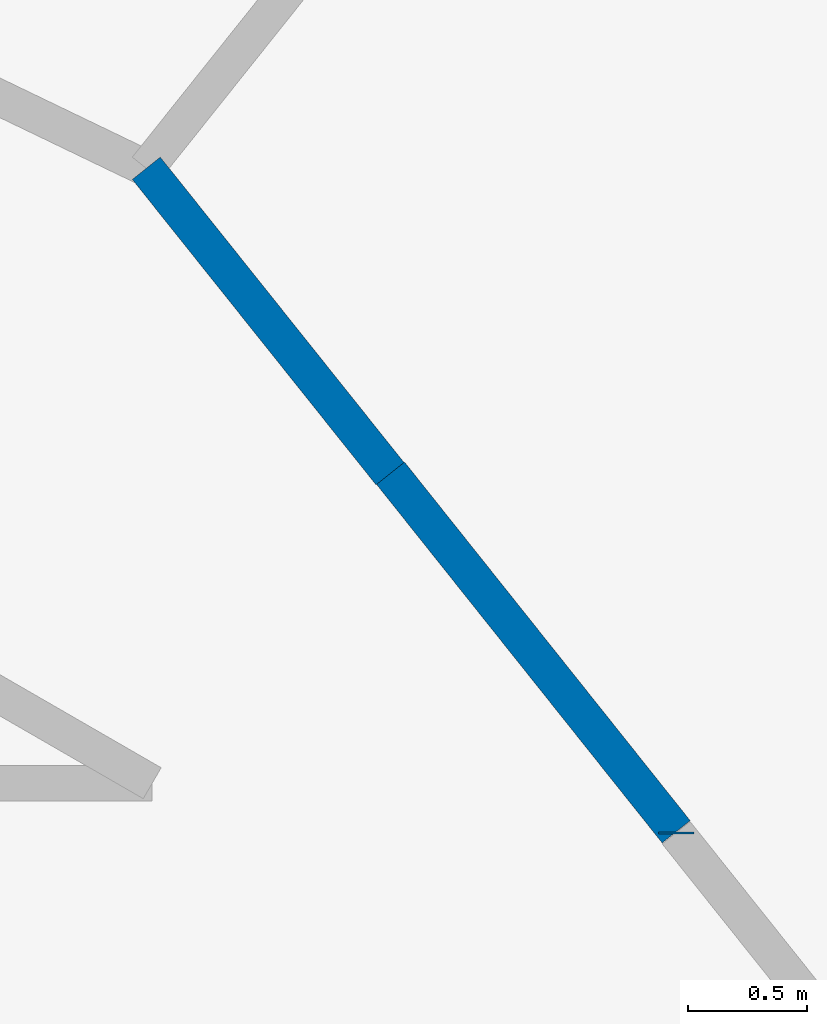
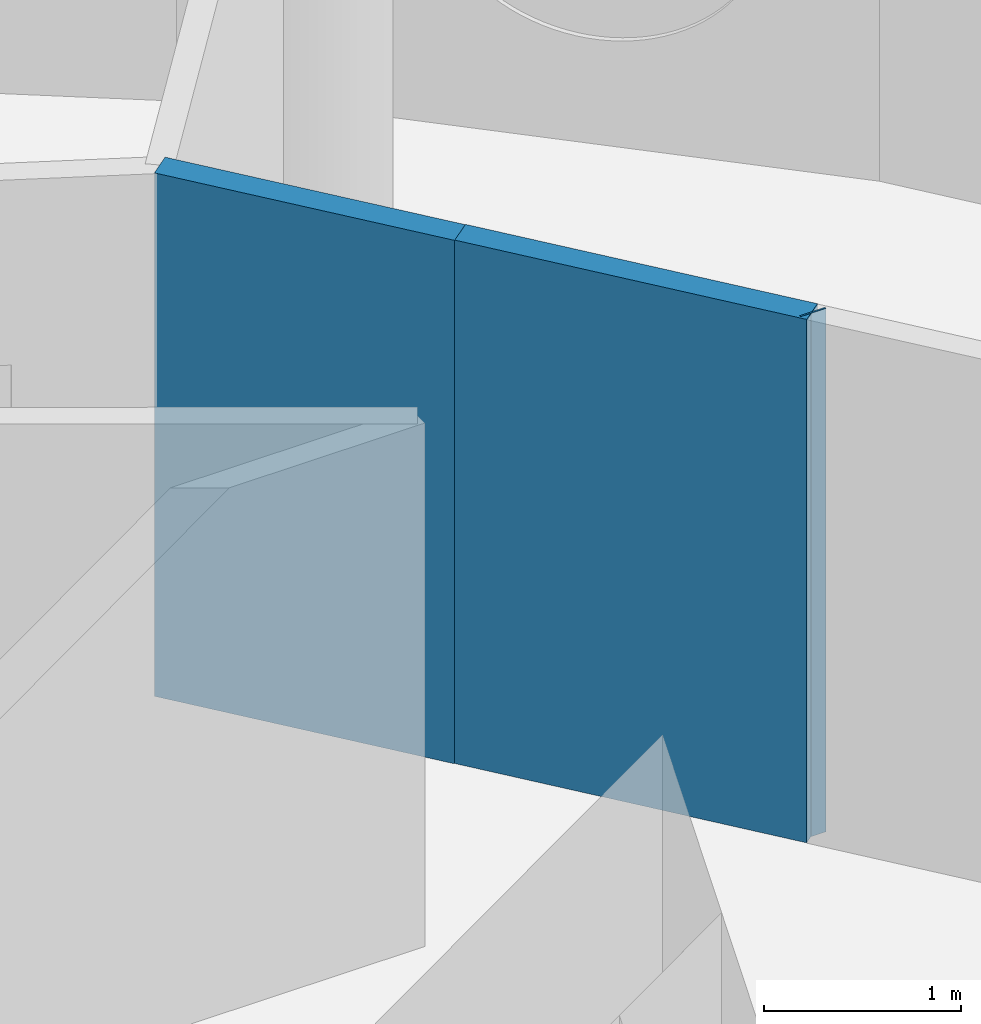
# One storey, part 8 of 12: 3 walls.
"""IFC4 building model written with IfcOpenShell, lengths in metres."""

from ifc_helpers import new_model, si_unit, direction, frame, frame_2d, origin, place, context, subcontext, project, spatial, rectangle, extrude, material, layer, layer_set, type_object, element, save


model = new_model("IFC4")

# Units and contexts
model_context = context("Model", 3, precision=1e-05, world=origin(), true_north=direction((0.0, 1.0)))
body_context = subcontext(model_context, "Body", "Model", "MODEL_VIEW")
ifc_project = project(units=[si_unit("LENGTHUNIT", "METRE"), si_unit("AREAUNIT", "SQUARE_METRE"), si_unit("VOLUMEUNIT", "CUBIC_METRE"), si_unit("PLANEANGLEUNIT", "RADIAN"), si_unit("MASSUNIT", "GRAM", prefix="KILO")], contexts=[model_context])

# Site, building, storey
site_placement = place(None, origin())
site = spatial("IfcSite", under=ifc_project, at=site_placement, CompositionType="ELEMENT")
building_placement = place(site_placement, origin())
building = spatial("IfcBuilding", under=site, at=building_placement, Name="Tracery Tower", CompositionType="ELEMENT")
storey_placement = place(building_placement, frame((0.0, 0.0, 245.39990234375)))
storey = spatial("IfcBuildingStorey", under=building, at=storey_placement, Name="L63", CompositionType="ELEMENT", Elevation=245.39990234375)

# Walls
ifc_material = material(Name="Plasterboard on steel studs", Category="steel")
ifc_layer = layer(ifc_material, 0.14990234375)
ifc_layer_set = layer_set([ifc_layer], Name="Partition 150 corridor wall")
wall_type = type_object("IfcWallType", Name="Partition 150 corridor wall", PredefinedType="PARTITIONING", material=ifc_layer_set)
wall_1_placement = place(storey_placement, frame((10.10107421875, 10.10107421875, 0.0), z_axis=(0.0, 0.0, 1.0), x_axis=(0.623130947784, -0.782117524362, 0.0)))
element("IfcWall", 1, at=wall_1_placement, inside=storey, type_object=wall_type, Name="Corridor wall RC2-005", PredefinedType="PARTITIONING", context=body_context, shape_type="SweptSolid", body=[
    extrude(rectangle(XDim=1.924072265625, YDim=0.14990234375, at=frame_2d((0.9619140625, 0.0))), origin(), (0.0, 0.0, 1.0), 3.25),
])
wall_2_placement = place(storey_placement, frame((11.300048828125, 8.5859375, 0.0), z_axis=(0.0, 0.0, 1.0), x_axis=(0.0, 1.0, 0.0)))
element("IfcWall", 2, at=wall_2_placement, inside=storey, type_object=wall_type, Name="Corridor wall RC2-007", PredefinedType="PARTITIONING", context=body_context, shape_type="SweptSolid", body=[
    extrude(rectangle(XDim=0.01025390625, YDim=0.14990234375, at=frame_2d((0.005126953125, 0.0))), origin(), (0.0, 0.0, 1.0), 3.25),
])
wall_3_placement = place(storey_placement, frame((9.075927734375, 11.381103515625, 0.0), z_axis=(0.0, 0.0, 1.0), x_axis=(0.623805208652, -0.781579849829, 0.0)))
element("IfcWall", 3, at=wall_3_placement, inside=storey, type_object=wall_type, Name="Corridor wall RC2-029", PredefinedType="PARTITIONING", context=body_context, shape_type="SweptSolid", body=[
    extrude(rectangle(XDim=1.64013671875, YDim=0.14990234375, at=frame_2d((0.820068359375, 0.0))), origin(), (0.0, 0.0, 1.0), 3.25),
])

save(model, "model.ifc")
